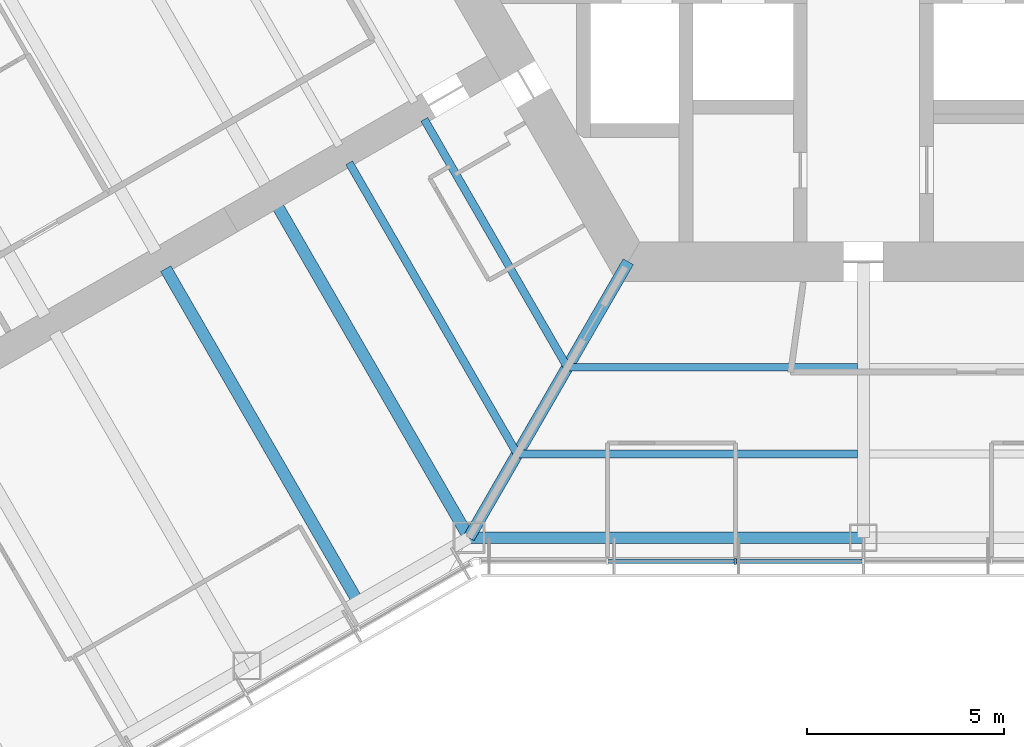
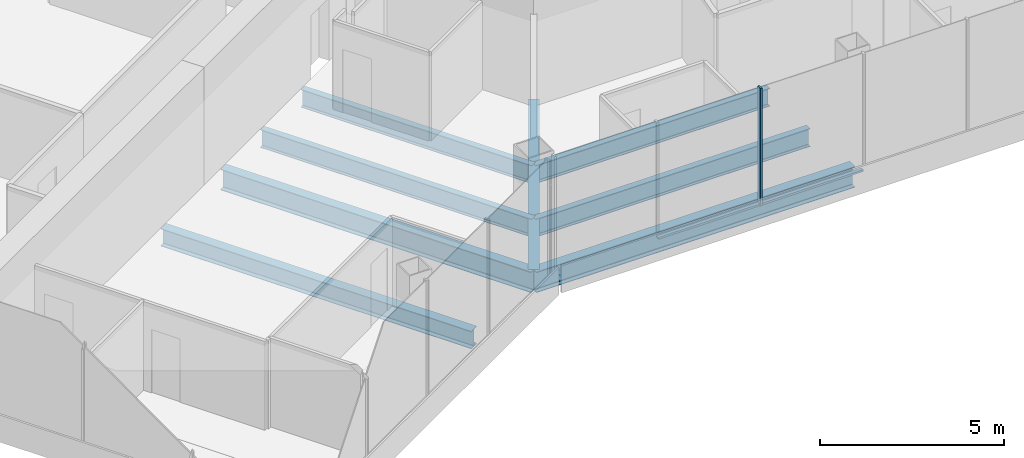
# One storey, part 3 of 18: 8 beams, 3 members, 1 element without a shape of its own.
"""IFC4 building model written with IfcOpenShell, lengths in metres."""

from ifc_helpers import new_model, si_unit, direction, frame, origin, origin_2d, place, context, subcontext, project, spatial, rectangle, i_section, extrude, material, material_profile, profile_set, type_object, element, aggregate, save


model = new_model("IFC4")

# Units and contexts
model_context = context("Model", 3, precision=1e-05, world=origin(), true_north=direction((0.0, 1.0)))
body_context = subcontext(model_context, "Body", "Model", "MODEL_VIEW")
ifc_project = project(units=[si_unit("LENGTHUNIT", "METRE"), si_unit("AREAUNIT", "SQUARE_METRE"), si_unit("VOLUMEUNIT", "CUBIC_METRE"), si_unit("PLANEANGLEUNIT", "RADIAN"), si_unit("MASSUNIT", "GRAM", prefix="KILO")], contexts=[model_context])

# Site, building, storey
site_placement = place(None, origin())
site = spatial("IfcSite", under=ifc_project, at=site_placement, CompositionType="ELEMENT")
building_placement = place(site_placement, origin())
building = spatial("IfcBuilding", under=site, at=building_placement, Name="Kasaneha Research Tower", CompositionType="ELEMENT")
storey_placement = place(building_placement, frame((0.0, 0.0, 183.800048828125)))
storey = spatial("IfcBuildingStorey", under=building, at=storey_placement, Name="L46", CompositionType="ELEMENT", Elevation=183.800048828125)

# Beams
ifc_material_1 = material(Name="Steel SN490B", Category="steel")
ifc_material_profile_1 = material_profile(ifc_material_1, i_section(OverallWidth=0.199951171875, OverallDepth=0.60009765625, WebThickness=0.010986328125, FlangeThickness=0.01708984375, FilletRadius=0.012939453125, at=origin_2d()), Name="H-600x200x11x17")
ifc_profile_set_1 = profile_set([ifc_material_profile_1], Name="Steel SN490B")
beam_type_1 = type_object("IfcBeamType", Name="B1-3 secondary beam H-600x200x11x17", PredefinedType="JOIST", material=ifc_profile_set_1)
beam_1_placement = place(storey_placement, frame((-7.505615234375, -13.0, -0.449951171875), z_axis=(-0.499993340521, 0.866029248602, 0.0), x_axis=(-0.866029248602, -0.499993340521, 0.0)))
element("IfcBeam", 1, at=beam_1_placement, inside=storey, type_object=beam_type_1, Name="Secondary beam RS210R1 L46", PredefinedType="JOIST", context=body_context, shape_type="SweptSolid", body=[
    extrude(i_section(OverallWidth=0.199951171875, OverallDepth=0.60009765625, WebThickness=0.010986328125, FlangeThickness=0.01708984375, FilletRadius=0.012939453125, at=origin_2d()), origin(), (0.0, 0.0, 1.0), 7.25537109375),
])
beam_2_placement = place(storey_placement, frame((-8.775634765625, -15.199951171875, -0.449951171875), z_axis=(-0.500004205306, 0.866022975836, 0.0), x_axis=(-0.866022975836, -0.500004205306, 0.0)))
element("IfcBeam", 2, at=beam_2_placement, inside=storey, type_object=beam_type_1, Name="Secondary beam RS210R2 L46", PredefinedType="JOIST", context=body_context, shape_type="SweptSolid", body=[
    extrude(i_section(OverallWidth=0.199951171875, OverallDepth=0.60009765625, WebThickness=0.010986328125, FlangeThickness=0.01708984375, FilletRadius=0.012939453125, at=origin_2d()), origin(), (0.0, 0.0, 1.0), 8.52587890625),
])
beam_3_placement = place(storey_placement, frame((-7.505615234375, -13.0, -0.449951171875), z_axis=(1.0, 0.0, 0.0), x_axis=(0.0, 1.0, 0.0)))
element("IfcBeam", 3, at=beam_3_placement, inside=storey, type_object=beam_type_1, Name="Secondary beam RS270L1 L46", PredefinedType="JOIST", context=body_context, shape_type="SweptSolid", body=[
    extrude(i_section(OverallWidth=0.199951171875, OverallDepth=0.60009765625, WebThickness=0.010986328125, FlangeThickness=0.01708984375, FilletRadius=0.012939453125, at=origin_2d()), origin(), (0.0, 0.0, 1.0), 7.355712890625),
])
beam_4_placement = place(storey_placement, frame((-8.775634765625, -15.199951171875, -0.449951171875), z_axis=(1.0, 0.0, 0.0), x_axis=(0.0, 1.0, 0.0)))
element("IfcBeam", 4, at=beam_4_placement, inside=storey, type_object=beam_type_1, Name="Secondary beam RS270L2 L46", PredefinedType="JOIST", context=body_context, shape_type="SweptSolid", body=[
    extrude(i_section(OverallWidth=0.199951171875, OverallDepth=0.60009765625, WebThickness=0.010986328125, FlangeThickness=0.01708984375, FilletRadius=0.012939453125, at=origin_2d()), origin(), (0.0, 0.0, 1.0), 8.625732421875),
])
ifc_material_2 = material(Name="Steel SN490B", Category="steel")
ifc_material_profile_2 = material_profile(ifc_material_2, i_section(OverallWidth=0.300048828125, OverallDepth=0.58203125, WebThickness=0.011962890625, FlangeThickness=0.01708984375, FilletRadius=0.012939453125, at=origin_2d()), Name="H-582x300x12x17")
ifc_profile_set_2 = profile_set([ifc_material_profile_2], Name="Steel SN490B")
beam_type_2 = type_object("IfcBeamType", Name="B2-3 secondary beam H-582x300x12x17", PredefinedType="JOIST", material=ifc_profile_set_2)
beam_5_placement = place(storey_placement, frame((-12.814697265625, -18.945556640625, -0.441162109375), z_axis=(-0.499995560238, 0.866027967067, 0.0), x_axis=(-0.866027967067, -0.499995560238, 0.0)))
element("IfcBeam", 5, at=beam_5_placement, inside=storey, type_object=beam_type_2, Name="Secondary beam WBBN1 L46", PredefinedType="JOIST", context=body_context, shape_type="SweptSolid", body=[
    extrude(i_section(OverallWidth=0.300048828125, OverallDepth=0.58203125, WebThickness=0.011962890625, FlangeThickness=0.01708984375, FilletRadius=0.012939453125, at=origin_2d()), origin(), (0.0, 0.0, 1.0), 9.75),
])

# Curtain wall, members
ifc_material_3 = material(Name="Glass and aluminium", Category="aluminium")
curtain_wall_type = type_object("IfcCurtainWallType", Name="Mid-rise office curtain wall", PredefinedType="USERDEFINED", material=ifc_material_3)
curtain_wall_placement = place(storey_placement, origin())
curtain_wall = element("IfcCurtainWall", 6, at=curtain_wall_placement, inside=storey, type_object=curtain_wall_type, Name="CW-O2 L46 run 01a", ObjectType="UNITISED CURTAIN WALL", PredefinedType="USERDEFINED")
ifc_material_4 = material(Name="Aluminium 6063-T6", Category="aluminium")
ifc_material_profile_3 = material_profile(ifc_material_4, rectangle(XDim=0.06005859375, YDim=0.14990234375, at=origin_2d()), Name="CW-O2 mullion 60x150")
ifc_profile_set_3 = profile_set([ifc_material_profile_3], Name="Aluminium 6063-T6")
member_type_1 = type_object("IfcMemberType", Name="CW-O2 mullion", PredefinedType="MULLION", material=ifc_profile_set_3)
member_1_placement = place(storey_placement, frame((-3.246337890625, -17.92041015625, 0.0), z_axis=(0.0, 0.0, 1.0), x_axis=(1.0, 0.0, 0.0)))
member_1 = element("IfcMember", 7, at=member_1_placement, type_object=member_type_1, Name="CW-O2 mullion 3", PredefinedType="MULLION", context=body_context, shape_type="SweptSolid", body=[
    extrude(rectangle(XDim=0.06005859375, YDim=0.14990234375, at=origin_2d()), origin(), (0.0, 0.0, 1.0), 3.89990234375),
])
ifc_material_5 = material(Name="Aluminium 6063-T6", Category="aluminium")
ifc_material_profile_4 = material_profile(ifc_material_5, rectangle(XDim=0.110107421875, YDim=0.06005859375, at=origin_2d()), Name="CW-O2 transom 110x60")
ifc_profile_set_4 = profile_set([ifc_material_profile_4], Name="Aluminium 6063-T6")
member_type_2 = type_object("IfcMemberType", Name="CW-O2 transom", PredefinedType="USERDEFINED", material=ifc_profile_set_4)
member_2_placement = place(storey_placement, frame((-6.462890625, -17.92041015625, 0.030029296875), z_axis=(1.0, 0.0, 0.0), x_axis=(0.0, 1.0, 0.0)))
member_2 = element("IfcMember", 8, at=member_2_placement, type_object=member_type_2, Name="CW-O2 transom 2", ObjectType="TRANSOM", PredefinedType="USERDEFINED", context=body_context, shape_type="SweptSolid", body=[
    extrude(rectangle(XDim=0.110107421875, YDim=0.06005859375, at=origin_2d()), origin(), (0.0, 0.0, 1.0), 3.1865234375),
])
member_3_placement = place(storey_placement, frame((-3.21630859375, -17.92041015625, 0.030029296875), z_axis=(1.0, 0.0, 0.0), x_axis=(0.0, 1.0, 0.0)))
member_3 = element("IfcMember", 9, at=member_3_placement, type_object=member_type_2, Name="CW-O2 transom 3", ObjectType="TRANSOM", PredefinedType="USERDEFINED", context=body_context, shape_type="SweptSolid", body=[
    extrude(rectangle(XDim=0.110107421875, YDim=0.06005859375, at=origin_2d()), origin(), (0.0, 0.0, 1.0), 3.186279296875),
])
aggregate(curtain_wall, [member_1, member_2, member_3])

# Beams
ifc_material_6 = material(Name="Steel SN490B", Category="steel")
ifc_material_profile_5 = material_profile(ifc_material_6, i_section(OverallWidth=0.300048828125, OverallDepth=0.699951171875, WebThickness=0.012939453125, FlangeThickness=0.02392578125, FilletRadius=0.01806640625, at=origin_2d()), Name="H-700x300x13x24")
ifc_profile_set_5 = profile_set([ifc_material_profile_5], Name="Steel SN490B")
beam_type_3 = type_object("IfcBeamType", Name="G1-3 radial girder H-700x300x13x24", PredefinedType="BEAM", material=ifc_profile_set_5)
beam_6_placement = place(storey_placement, frame((-5.961181640625, -10.324951171875, -0.5), z_axis=(-0.49999105496, -0.866030568144, 0.0), x_axis=(0.866030568144, -0.49999105496, 0.0)))
element("IfcBeam", 10, at=beam_6_placement, inside=storey, type_object=beam_type_3, Name="Radial girder RV240 L46", PredefinedType="BEAM", context=body_context, shape_type="SweptSolid", body=[
    extrude(i_section(OverallWidth=0.300048828125, OverallDepth=0.699951171875, WebThickness=0.012939453125, FlangeThickness=0.02392578125, FilletRadius=0.01806640625, at=origin_2d()), origin(), (0.0, 0.0, 1.0), 8.077880859375),
])
ifc_material_7 = material(Name="Steel SN490B", Category="steel")
ifc_material_profile_6 = material_profile(ifc_material_7, i_section(OverallWidth=0.300048828125, OverallDepth=0.69189453125, WebThickness=0.012939453125, FlangeThickness=0.02001953125, FilletRadius=0.01806640625, at=origin_2d()), Name="H-692x300x13x20")
ifc_profile_set_6 = profile_set([ifc_material_profile_6], Name="Steel SN490B")
beam_type_4 = type_object("IfcBeamType", Name="G3-3 plate edge girder H-692x300x13x20", PredefinedType="BEAM", material=ifc_profile_set_6)
beam_7_placement = place(storey_placement, frame((-10.0, -17.320556640625, -0.49609375), z_axis=(-0.499995560238, 0.866027967067, 0.0), x_axis=(-0.866027967067, -0.499995560238, 0.0)))
element("IfcBeam", 11, at=beam_7_placement, inside=storey, type_object=beam_type_4, Name="Plate edge girder PEBN L46", PredefinedType="BEAM", context=body_context, shape_type="SweptSolid", body=[
    extrude(i_section(OverallWidth=0.300048828125, OverallDepth=0.69189453125, WebThickness=0.012939453125, FlangeThickness=0.02001953125, FilletRadius=0.01806640625, at=origin_2d()), origin(), (0.0, 0.0, 1.0), 9.75),
])
ifc_material_8 = material(Name="Steel SN490B", Category="steel")
ifc_material_profile_7 = material_profile(ifc_material_8, i_section(OverallWidth=0.300048828125, OverallDepth=0.69189453125, WebThickness=0.012939453125, FlangeThickness=0.02001953125, FilletRadius=0.01806640625, at=origin_2d()), Name="H-692x300x13x20")
ifc_profile_set_7 = profile_set([ifc_material_profile_7], Name="Steel SN490B")
beam_type_5 = type_object("IfcBeamType", Name="SB1-3 spandrel beam H-692x300x13x20", PredefinedType="SPANDREL", material=ifc_profile_set_7)
beam_8_placement = place(storey_placement, frame((-10.0, -17.320556640625, -0.49609375), z_axis=(1.0, 0.0, 0.0), x_axis=(0.0, 1.0, 0.0)))
element("IfcBeam", 12, at=beam_8_placement, inside=storey, type_object=beam_type_5, Name="Spandrel beam SR270L L46", PredefinedType="SPANDREL", context=body_context, shape_type="SweptSolid", body=[
    extrude(i_section(OverallWidth=0.300048828125, OverallDepth=0.69189453125, WebThickness=0.012939453125, FlangeThickness=0.02001953125, FilletRadius=0.01806640625, at=origin_2d()), origin(), (0.0, 0.0, 1.0), 10.0),
])

save(model, "model.ifc")
